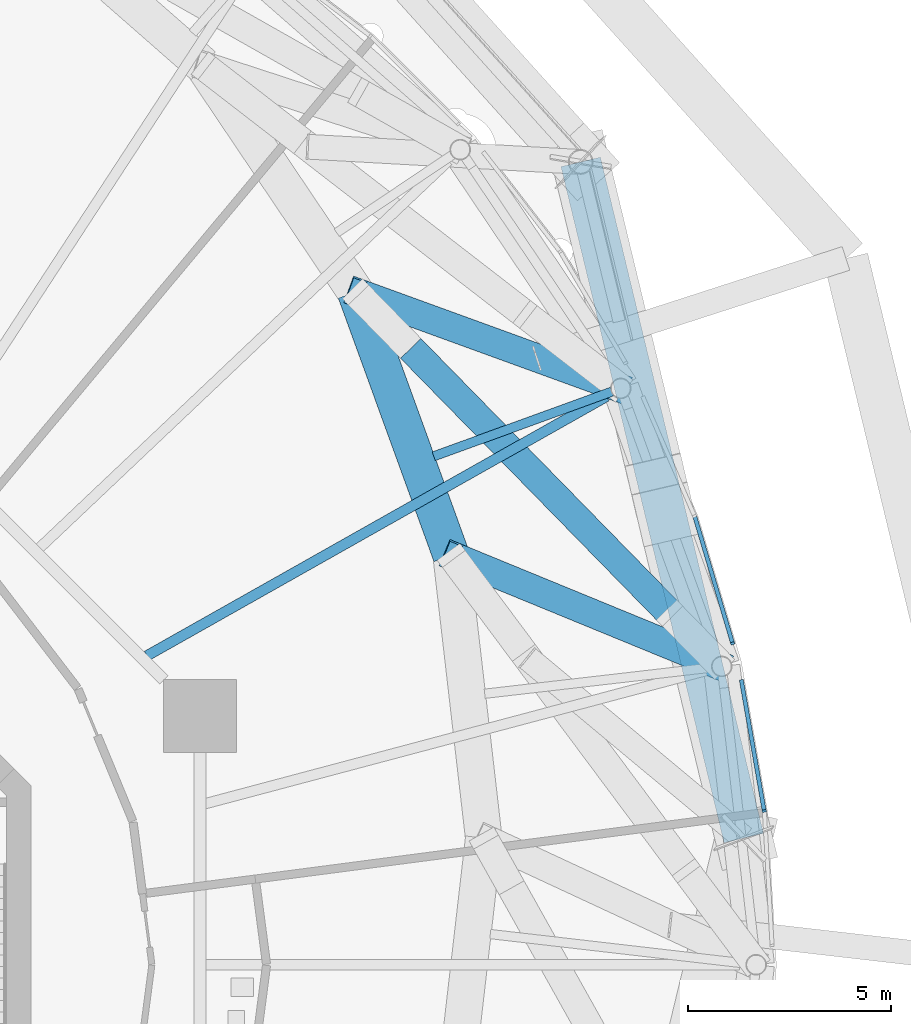
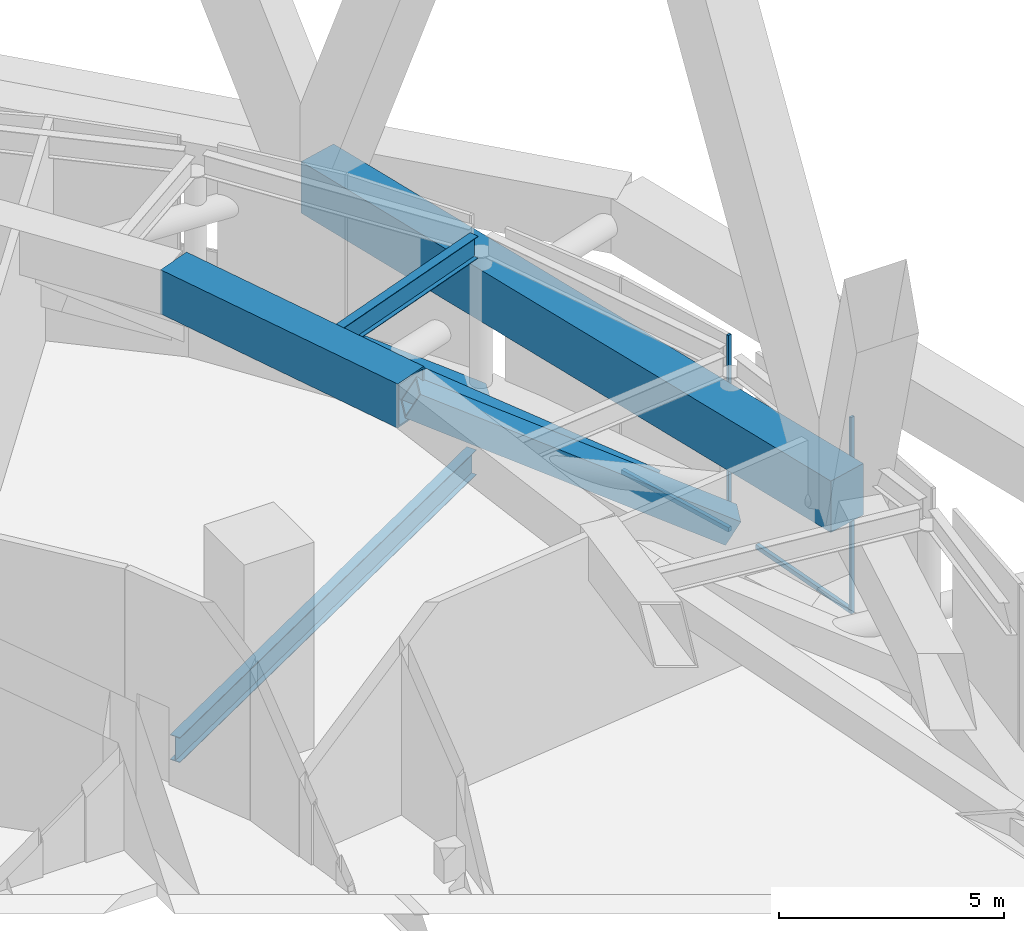
# One storey, part 38 of 60: 6 beams, 5 members, 2 elements without a shape of their own.
"""IFC4 building model written with IfcOpenShell, lengths in metres."""

from ifc_helpers import new_model, si_unit, direction, frame, origin, origin_2d, place, context, subcontext, project, spatial, rectangle, hollow_rectangle, i_section, extrude, material, layer, layer_set, material_profile, profile_set, type_object, element, aggregate, save


model = new_model("IFC4")

# Units and contexts
model_context = context("Model", 3, precision=1e-05, world=origin(), true_north=direction((0.0, 1.0)))
body_context = subcontext(model_context, "Body", "Model", "MODEL_VIEW")
ifc_project = project(units=[si_unit("LENGTHUNIT", "METRE"), si_unit("AREAUNIT", "SQUARE_METRE"), si_unit("VOLUMEUNIT", "CUBIC_METRE"), si_unit("PLANEANGLEUNIT", "RADIAN"), si_unit("MASSUNIT", "GRAM", prefix="KILO")], contexts=[model_context])

# Site, building, storey
site_placement = place(None, origin())
site = spatial("IfcSite", under=ifc_project, at=site_placement, CompositionType="ELEMENT")
building_placement = place(site_placement, origin())
building = spatial("IfcBuilding", under=site, at=building_placement, Name="Nagisa Residences", CompositionType="ELEMENT")
storey_placement = place(building_placement, frame((0.0, 0.0, 206.60009765625)))
storey = spatial("IfcBuildingStorey", under=building, at=storey_placement, Name="L52", CompositionType="ELEMENT", Elevation=206.60009765625)

# Beams
ifc_material_1 = material(Name="Steel ASTM A572 Gr 50", Category="steel")
ifc_material_profile_1 = material_profile(ifc_material_1, hollow_rectangle(XDim=0.89990234375, YDim=1.199951171875, WallThickness=0.044921875, at=origin_2d()), Name="BX 900x1200x45")
ifc_profile_set_1 = profile_set([ifc_material_profile_1], Name="Steel ASTM A572 Gr 50")
beam_type_1 = type_object("IfcBeamType", Name="Belt chord 4 BX 900x1200x45", PredefinedType="BEAM", material=ifc_profile_set_1)
beam_1_placement = place(storey_placement, frame((20.966796875, 10.077392578125, 4.739990234375), z_axis=(-0.341254340282, 0.93997099702, 0.0), x_axis=(-0.93997099702, -0.341254340282, 0.0)))
element("IfcBeam", 1, at=beam_1_placement, inside=storey, type_object=beam_type_1, Name="beam:L52:bt4t02", PredefinedType="BEAM", context=body_context, shape_type="SweptSolid", body=[
    extrude(hollow_rectangle(XDim=0.89990234375, YDim=1.199951171875, WallThickness=0.044921875, at=origin_2d()), origin(), (0.0, 0.0, 1.0), 6.8994140625),
])
ifc_material_2 = material(Name="Steel ASTM A572 Gr 50", Category="steel")
ifc_material_profile_2 = material_profile(ifc_material_2, hollow_rectangle(XDim=0.699951171875, YDim=0.699951171875, WallThickness=0.0400390625, at=origin_2d()), Name="BX 700x700x40")
ifc_profile_set_2 = profile_set([ifc_material_profile_2], Name="Steel ASTM A572 Gr 50")
beam_type_2 = type_object("IfcBeamType", Name="Belt diagonal 4 BX 700x700x40", PredefinedType="BEAM", material=ifc_profile_set_2)
beam_2_placement = place(storey_placement, frame((27.62744140625, 7.343994140625, 0.599853515625), z_axis=(-0.801984626, 0.329118828264, 0.498499204153), x_axis=(-0.379654591521, -0.925128310634, 0.0)))
element("IfcBeam", 2, at=beam_2_placement, inside=storey, type_object=beam_type_2, Name="beam:L52:bt4da02", PredefinedType="BEAM", context=body_context, shape_type="SweptSolid", body=[
    extrude(hollow_rectangle(XDim=0.699951171875, YDim=0.699951171875, WallThickness=0.0400390625, at=origin_2d()), origin(), (0.0, 0.0, 1.0), 8.30517578125),
])
beam_3_placement = place(storey_placement, frame((26.342529296875, 8.65771484375, 1.18994140625), z_axis=(-0.665687417374, 0.680740460372, 0.305700323785), x_axis=(-0.714967542906, -0.699157645021, 0.0)))
element("IfcBeam", 3, at=beam_3_placement, inside=storey, type_object=beam_type_2, Name="beam:L52:bt4db02", PredefinedType="BEAM", context=body_context, shape_type="SweptSolid", body=[
    extrude(hollow_rectangle(XDim=0.699951171875, YDim=0.699951171875, WallThickness=0.0400390625, at=origin_2d()), origin(), (0.0, 0.0, 1.0), 9.6826171875),
])
beam_4_placement = place(storey_placement, frame((25.142333984375, 14.1875, 0.599853515625), z_axis=(-0.807322857946, 0.293657011439, 0.511854825777), x_axis=(-0.341830514955, -0.939761618202, 0.0)))
element("IfcBeam", 4, at=beam_4_placement, inside=storey, type_object=beam_type_2, Name="beam:L52:bt4da03", PredefinedType="BEAM", context=body_context, shape_type="SweptSolid", body=[
    extrude(hollow_rectangle(XDim=0.699951171875, YDim=0.699951171875, WallThickness=0.0400390625, at=origin_2d()), origin(), (0.0, 0.0, 1.0), 8.08837890625),
])

# Curtain wall, member
ifc_material_3 = material(Name="Aluminium curtain wall system", Category="aluminium")
ifc_layer = layer(ifc_material_3, 0.159912109375)
ifc_layer_set = layer_set([ifc_layer], Name="CW5 CURTAIN WALL")
curtain_wall_type = type_object("IfcCurtainWallType", Name="CW5 CURTAIN WALL", PredefinedType="NOTDEFINED", material=ifc_layer_set)
curtain_wall_1_placement = place(storey_placement, origin())
curtain_wall_1 = element("IfcCurtainWall", 5, at=curtain_wall_1_placement, inside=storey, type_object=curtain_wall_type, Name="cw:CW5:L52:01", PredefinedType="NOTDEFINED")
ifc_material_4 = material(Name="Aluminium", Category="aluminium")
ifc_material_profile_3 = material_profile(ifc_material_4, rectangle(XDim=0.10009765625, YDim=0.06005859375, at=origin_2d()), Name="CW5 MULLION 100x60")
ifc_profile_set_3 = profile_set([ifc_material_profile_3], Name="Aluminium")
member_type_1 = type_object("IfcMemberType", Name="CW5 MULLION 100x60", PredefinedType="MULLION", material=ifc_profile_set_3)
member_1_placement = place(storey_placement, frame((28.673828125, 3.78466796875, 0.0), z_axis=(0.0, 0.0, 1.0), x_axis=(-0.985063604377, -0.172190868898, 0.0)))
member_1 = element("IfcMember", 6, at=member_1_placement, type_object=member_type_1, Name="CW5 mullion", PredefinedType="MULLION", context=body_context, shape_type="SweptSolid", body=[
    extrude(rectangle(XDim=0.10009765625, YDim=0.06005859375, at=origin_2d()), origin(), (0.0, 0.0, 1.0), 5.33984375),
])

curtain_wall_2_placement = place(storey_placement, origin())
curtain_wall_2 = element("IfcCurtainWall", 7, at=curtain_wall_2_placement, inside=storey, type_object=curtain_wall_type, Name="cw:CW5:L52:02", PredefinedType="NOTDEFINED")
member_2_placement = place(storey_placement, frame((27.896484375, 7.910400390625, 0.0), z_axis=(0.0, 0.0, 1.0), x_axis=(-0.958271310082, -0.285860274038, 0.0)))
member_2 = element("IfcMember", 8, at=member_2_placement, type_object=member_type_1, Name="CW5 mullion", PredefinedType="MULLION", context=body_context, shape_type="SweptSolid", body=[
    extrude(rectangle(XDim=0.10009765625, YDim=0.06005859375, at=origin_2d()), origin(), (0.0, 0.0, 1.0), 5.33984375),
])

# Member
ifc_material_5 = material(Name="Aluminium", Category="aluminium")
ifc_material_profile_4 = material_profile(ifc_material_5, rectangle(XDim=0.10009765625, YDim=0.1201171875, at=origin_2d()), Name="CW5 TRANSOM 100x120")
ifc_profile_set_4 = profile_set([ifc_material_profile_4], Name="Aluminium")
member_type_2 = type_object("IfcMemberType", Name="CW5 TRANSOM 100x120", PredefinedType="USERDEFINED", material=ifc_profile_set_4)
member_3_placement = place(storey_placement, frame((28.67919921875, 3.755126953125, 0.059814453125), z_axis=(-0.172190715586, 0.985063631176, 0.0), x_axis=(-0.985063631176, -0.172190715586, 0.0)))
member_3 = element("IfcMember", 9, at=member_3_placement, type_object=member_type_2, Name="CW5 transom", ObjectType="TRANSOM", PredefinedType="USERDEFINED", context=body_context, shape_type="SweptSolid", body=[
    extrude(rectangle(XDim=0.10009765625, YDim=0.1201171875, at=origin_2d()), origin(), (0.0, 0.0, 1.0), 3.310791015625),
])

aggregate(curtain_wall_1, [member_1, member_3])

member_4_placement = place(storey_placement, frame((27.905029296875, 7.8818359375, 0.059814453125), z_axis=(-0.285853055917, 0.958273463278, 0.0), x_axis=(-0.958273463278, -0.285853055917, 0.0)))
member_4 = element("IfcMember", 10, at=member_4_placement, type_object=member_type_2, Name="CW5 transom", ObjectType="TRANSOM", PredefinedType="USERDEFINED", context=body_context, shape_type="SweptSolid", body=[
    extrude(rectangle(XDim=0.10009765625, YDim=0.1201171875, at=origin_2d()), origin(), (0.0, 0.0, 1.0), 3.2822265625),
])

aggregate(curtain_wall_2, [member_2, member_4])

ifc_material_6 = material(Name="Concrete C80", Category="concrete")
ifc_material_profile_5 = material_profile(ifc_material_6, rectangle(XDim=1.0, YDim=1.39990234375, at=origin_2d()), Name="C80 1000x1400")
ifc_profile_set_5 = profile_set([ifc_material_profile_5], Name="Concrete C80")
member_type_3 = type_object("IfcMemberType", Name="Cage ring 5 C80 1000x1400", PredefinedType="CHORD", material=ifc_profile_set_5)
member_5_placement = place(storey_placement, frame((28.169921875, 3.11767578125, 3.699951171875), z_axis=(-0.234495574244, 0.972117187205, 0.0), x_axis=(-0.972117187205, -0.234495574244, 0.0)))
element("IfcMember", 11, at=member_5_placement, inside=storey, type_object=member_type_3, Name="beam:L52:cg5r001", PredefinedType="CHORD", context=body_context, shape_type="SweptSolid", body=[
    extrude(rectangle(XDim=1.0, YDim=1.39990234375, at=origin_2d()), origin(), (0.0, 0.0, 1.0), 17.12255859375),
])

# Beams
ifc_material_7 = material(Name="Steel ASTM A572 Gr 50", Category="steel")
ifc_material_profile_6 = material_profile(ifc_material_7, i_section(OverallWidth=0.22802734375, OverallDepth=0.60302734375, WebThickness=0.010498046875, FlangeThickness=0.014892578125, at=origin_2d()), Name="W610x101")
ifc_profile_set_6 = profile_set([ifc_material_profile_6], Name="Steel ASTM A572 Gr 50")
beam_type_3 = type_object("IfcBeamType", Name="Garden radial beam W610x101", PredefinedType="BEAM", material=ifc_profile_set_6)
beam_5_placement = place(storey_placement, frame((24.92236328125, 14.107666015625, 5.038330078125), z_axis=(-0.939962970903, -0.34127644708, 0.0), x_axis=(0.34127644708, -0.939962970903, 0.0)))
element("IfcBeam", 12, at=beam_5_placement, inside=storey, type_object=beam_type_3, Name="beam:L52:bt4gr03", PredefinedType="BEAM", context=body_context, shape_type="SweptSolid", body=[
    extrude(i_section(OverallWidth=0.22802734375, OverallDepth=0.60302734375, WebThickness=0.010498046875, FlangeThickness=0.014892578125, at=origin_2d()), origin(), (0.0, 0.0, 1.0), 4.66357421875),
])
ifc_material_8 = material(Name="Steel ASTM A572 Gr 50", Category="steel")
ifc_material_profile_7 = material_profile(ifc_material_8, i_section(OverallWidth=0.25390625, OverallDepth=0.68408203125, WebThickness=0.012451171875, FlangeThickness=0.018798828125, at=origin_2d()), Name="W690x140")
ifc_profile_set_7 = profile_set([ifc_material_profile_7], Name="Steel ASTM A572 Gr 50")
beam_type_4 = type_object("IfcBeamType", Name="Radial beam W690x140", PredefinedType="BEAM", material=ifc_profile_set_7)
beam_6_placement = place(storey_placement, frame((24.789306640625, 13.98828125, -0.692138671875), z_axis=(-0.870908534704, -0.491445138526, 0.0), x_axis=(0.491445138526, -0.870908534704, 0.0)))
element("IfcBeam", 13, at=beam_6_placement, inside=storey, type_object=beam_type_4, Name="beam:L52:rb03", PredefinedType="BEAM", context=body_context, shape_type="SweptSolid", body=[
    extrude(i_section(OverallWidth=0.25390625, OverallDepth=0.68408203125, WebThickness=0.012451171875, FlangeThickness=0.018798828125, at=origin_2d()), origin(), (0.0, 0.0, 1.0), 12.9873046875),
])

save(model, "model.ifc")
